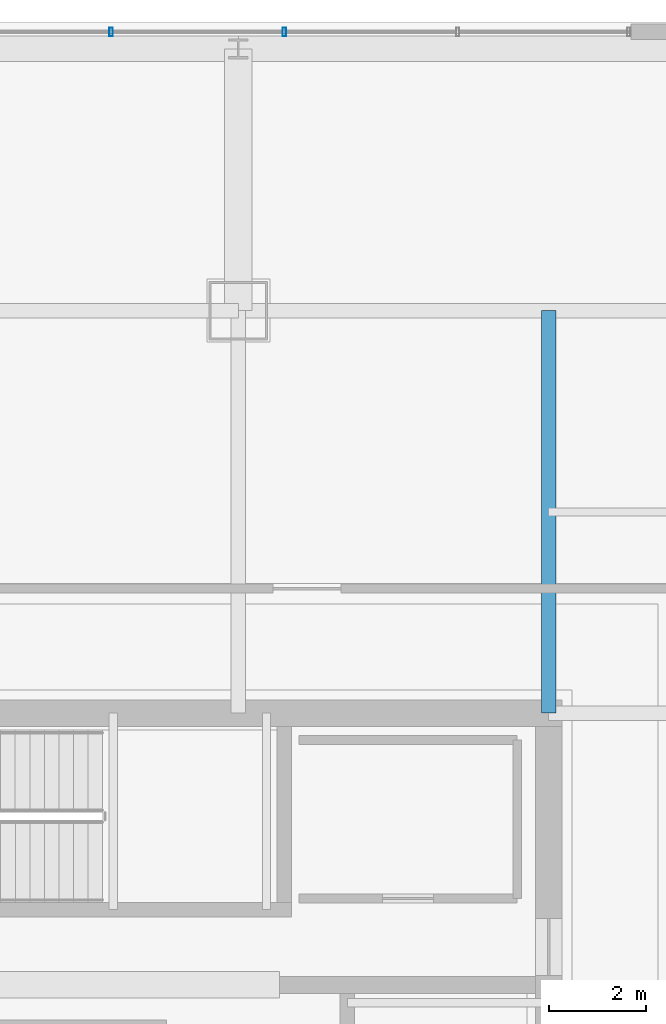
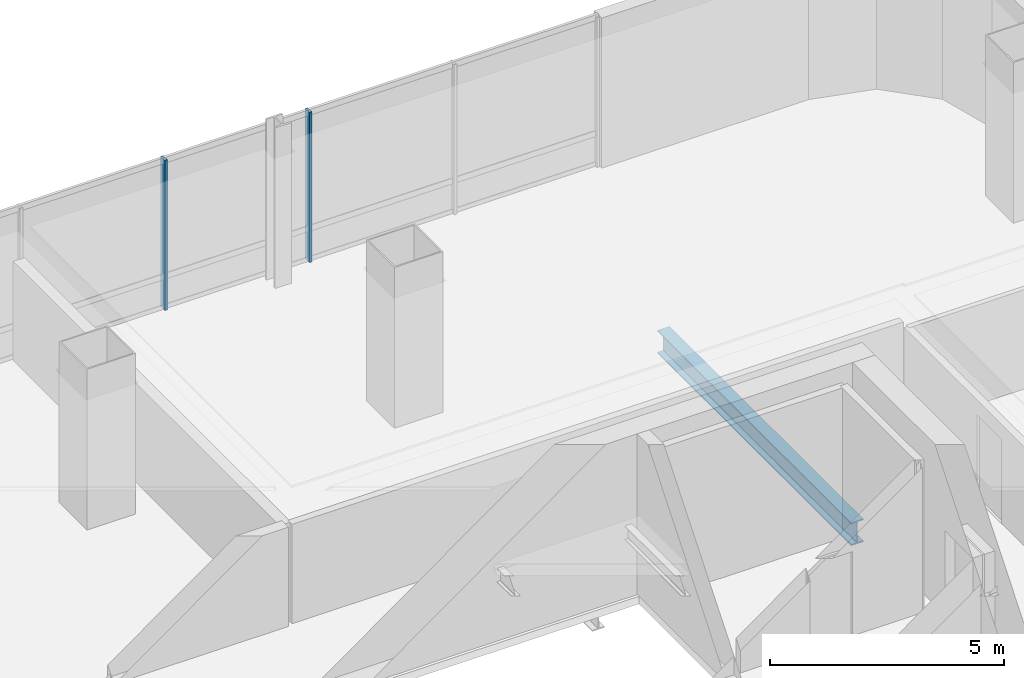
# One storey, part 26 of 51: 2 members, 1 beam, 1 element without a shape of its own.
"""IFC4 building model written with IfcOpenShell, lengths in metres."""

from ifc_helpers import new_model, si_unit, direction, frame, origin, origin_2d, place, context, subcontext, project, spatial, hollow_rectangle, i_section, extrude, material, material_profile, profile_set, type_object, element, aggregate, save


model = new_model("IFC4")

# Units and contexts
model_context = context("Model", 3, precision=1e-05, world=origin(), true_north=direction((0.0, 1.0)))
body_context = subcontext(model_context, "Body", "Model", "MODEL_VIEW")
ifc_project = project(units=[si_unit("LENGTHUNIT", "METRE"), si_unit("AREAUNIT", "SQUARE_METRE"), si_unit("VOLUMEUNIT", "CUBIC_METRE"), si_unit("PLANEANGLEUNIT", "RADIAN"), si_unit("MASSUNIT", "GRAM", prefix="KILO")], contexts=[model_context])

# Site, building, storey
site_placement = place(None, origin())
site = spatial("IfcSite", under=ifc_project, at=site_placement, CompositionType="ELEMENT")
building_placement = place(site_placement, origin())
building = spatial("IfcBuilding", under=site, at=building_placement, Name="Punatoya Terracotta Tower", CompositionType="ELEMENT")
storey_placement = place(building_placement, frame((0.0, 0.0, 313.199951171875)))
storey = spatial("IfcBuildingStorey", under=building, at=storey_placement, Name="L74", CompositionType="ELEMENT", Elevation=313.199951171875)

# Beam
ifc_material_1 = material(Name="Steel S355", Category="steel")
ifc_material_profile_1 = material_profile(ifc_material_1, i_section(OverallWidth=0.300048828125, OverallDepth=0.60009765625, WebThickness=0.015380859375, FlangeThickness=0.030029296875, FilletRadius=0.01806640625, at=origin_2d()))
ifc_profile_set_1 = profile_set([ifc_material_profile_1], Name="Steel S355")
beam_type = type_object("IfcBeamType", Name="BM-PRI-600", PredefinedType="BEAM", material=ifc_profile_set_1)
beam_placement = place(storey_placement, frame((10.199951171875, 9.199951171875, -0.5), z_axis=(0.0, 1.0, 0.0), x_axis=(-1.0, 0.0, 0.0)))
element("IfcBeam", 1, at=beam_placement, inside=storey, type_object=beam_type, Name="BM-L74-PR-N4", PredefinedType="BEAM", context=body_context, shape_type="SweptSolid", body=[
    extrude(i_section(OverallWidth=0.300048828125, OverallDepth=0.60009765625, WebThickness=0.015380859375, FlangeThickness=0.030029296875, FilletRadius=0.01806640625, at=origin_2d()), origin(), (0.0, 0.0, 1.0), 8.300048828125),
])

# Curtain wall, members
ifc_material_2 = material(Name="Aluminium 6063-T6 + Double Low-E Glass", Category="aluminium")
curtain_wall_type = type_object("IfcCurtainWallType", Name="CW-M3", PredefinedType="NOTDEFINED", material=ifc_material_2)
curtain_wall_placement = place(storey_placement, origin())
curtain_wall = element("IfcCurtainWall", 2, at=curtain_wall_placement, inside=storey, type_object=curtain_wall_type, Name="L74 Curtain Wall CW-L74-N09-1", PredefinedType="NOTDEFINED")
ifc_material_3 = material(Name="Aluminium 6063-T6", Category="aluminium")
ifc_material_profile_2 = material_profile(ifc_material_3, hollow_rectangle(XDim=0.070068359375, YDim=0.179931640625, WallThickness=0.00390625, at=origin_2d()))
ifc_profile_set_2 = profile_set([ifc_material_profile_2], Name="Aluminium 6063-T6")
member_type = type_object("IfcMemberType", Name="CW-MUL-M3", PredefinedType="MULLION", material=ifc_profile_set_2)
member_1_placement = place(storey_placement, frame((4.75, 23.25, 0.0), z_axis=(0.0, 0.0, 1.0), x_axis=(1.0, 0.0, 0.0)))
member_1 = element("IfcMember", 3, at=member_1_placement, type_object=member_type, Name="CW-L74-N09-1 Mullion 02", PredefinedType="MULLION", context=body_context, shape_type="SweptSolid", body=[
    extrude(hollow_rectangle(XDim=0.070068359375, YDim=0.179931640625, WallThickness=0.00390625, at=origin_2d()), origin(), (0.0, 0.0, 1.0), 3.920166015625),
])
member_2_placement = place(storey_placement, frame((1.175048828125, 23.25, 0.0), z_axis=(0.0, 0.0, 1.0), x_axis=(1.0, 0.0, 0.0)))
member_2 = element("IfcMember", 4, at=member_2_placement, type_object=member_type, Name="CW-L74-N09-1 Mullion 03", PredefinedType="MULLION", context=body_context, shape_type="SweptSolid", body=[
    extrude(hollow_rectangle(XDim=0.070068359375, YDim=0.179931640625, WallThickness=0.00390625, at=origin_2d()), origin(), (0.0, 0.0, 1.0), 3.920166015625),
])
aggregate(curtain_wall, [member_1, member_2])

save(model, "model.ifc")
